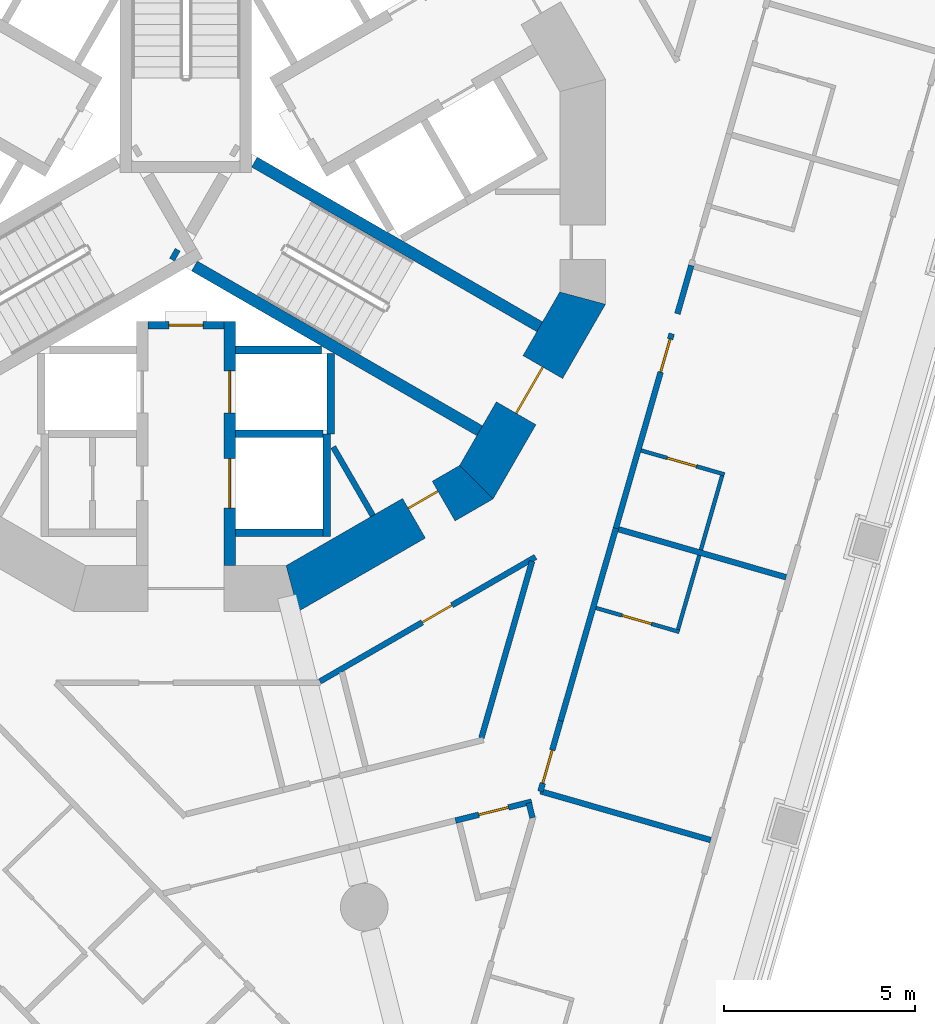
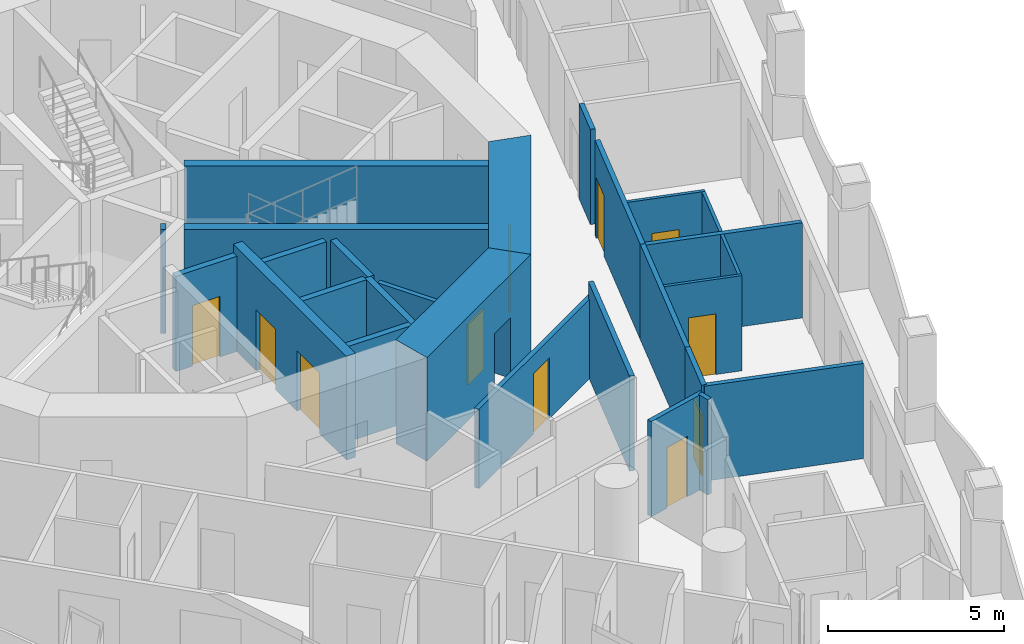
# One storey, part 5 of 20: 27 walls, 11 doors, 11 openings.
"""IFC4 building model written with IfcOpenShell, lengths in metres."""

from ifc_helpers import new_model, si_unit, direction, frame, frame_2d, origin, place, context, subcontext, project, spatial, polyline, rectangle, outline, extrude, material, layer, layer_set, type_object, element, fill, save


model = new_model("IFC4")

# Units and contexts
model_context = context("Model", 3, precision=1e-05, world=origin(), true_north=direction((0.0, 1.0)))
body_context = subcontext(model_context, "Body", "Model", "MODEL_VIEW")
ifc_project = project(units=[si_unit("LENGTHUNIT", "METRE"), si_unit("AREAUNIT", "SQUARE_METRE"), si_unit("VOLUMEUNIT", "CUBIC_METRE"), si_unit("PLANEANGLEUNIT", "RADIAN"), si_unit("MASSUNIT", "GRAM", prefix="KILO")], contexts=[model_context])

# Site, building, storey
site_placement = place(None, origin())
site = spatial("IfcSite", under=ifc_project, at=site_placement, CompositionType="ELEMENT")
building_placement = place(site_placement, origin())
building = spatial("IfcBuilding", under=site, at=building_placement, Name="Trine Commons Tower", CompositionType="ELEMENT")
storey_placement = place(building_placement, frame((0.0, 0.0, 108.89990234375)))
storey = spatial("IfcBuildingStorey", under=building, at=storey_placement, Name="L27", CompositionType="ELEMENT", Elevation=108.89990234375)

# Wall
ifc_material_1 = material(Name="Plasterboard partition on steel studs", Category="steel")
ifc_layer_1 = layer(ifc_material_1, 0.14990234375)
ifc_layer_set_1 = layer_set([ifc_layer_1], Name="Plasterboard partition on steel studs")
wall_type_1 = type_object("IfcWallType", Name="Core room partition 150 mm, EI 60", PredefinedType="PARTITIONING", material=ifc_layer_set_1)
wall_1_placement = place(storey_placement, frame((84.905029296875, 54.0029296875, 0.0), z_axis=(0.0, 0.0, 1.0), x_axis=(-0.5000780968, 0.865980309881, 0.0)))
element("IfcWall", 1, at=wall_1_placement, inside=storey, type_object=wall_type_1, Name="Core room partition L27", PredefinedType="PARTITIONING", context=body_context, shape_type="SweptSolid", body=[
    extrude(rectangle(XDim=2.079833984375, YDim=0.14990234375, at=frame_2d((1.0400390625, 0.0))), origin(), (0.0, 0.0, 1.0), 3.300048828125),
])

# Wall, opening, door
ifc_material_2 = material(Name="Fire-rated gypsum shaft wall system")
ifc_layer_2 = layer(ifc_material_2, 0.199951171875)
ifc_layer_set_2 = layer_set([ifc_layer_2], Name="Fire-rated gypsum shaft wall system")
wall_type_2 = type_object("IfcWallType", Name="Lobby end wall 200 mm, EI 120", PredefinedType="PARTITIONING", material=ifc_layer_set_2)
wall_2_placement = place(storey_placement, frame((79.0, 59.0, 0.0), z_axis=(0.0, 0.0, 1.0), x_axis=(1.0, 0.0, 0.0)))
wall_2 = element("IfcWall", 2, at=wall_2_placement, inside=storey, type_object=wall_type_2, Name="Lobby end wall L27", PredefinedType="PARTITIONING", context=body_context, shape_type="SweptSolid", body=[
    extrude(rectangle(XDim=2.0, YDim=0.199951171875, at=frame_2d((1.0, 0.0))), origin(), (0.0, 0.0, 1.0), 3.300048828125),
])
opening_1_placement = place(wall_2_placement, frame((0.550048828125, 0.0, 0.0)))
opening_1 = element("IfcOpeningElement", 3, at=opening_1_placement, cuts=wall_2, Name="Opening K06.09", PredefinedType="OPENING", context=body_context, shape_type="SweptSolid", body=[
    extrude(rectangle(XDim=0.89990234375, YDim=2.10009765625, at=frame_2d((0.449951171875, 1.050048828125))), frame((0.0, 0.10986328125, 0.0), z_axis=(0.0, -1.0, 0.0), x_axis=(1.0, 0.0, 0.0)), (0.0, 0.0, 1.0), 0.219970703125),
])
ifc_material_3 = material(Name="Steel door leaf, fire-rated", Category="steel")
door_type_1 = type_object("IfcDoorType", Name="Riser access door, single leaf 900 x 2100, FD60", OperationType="SINGLE_SWING_LEFT", PredefinedType="DOOR", material=ifc_material_3)
door_1_placement = place(opening_1_placement, frame((0.89990234375, 0.0, 0.0), z_axis=(0.0, 0.0, 1.0), x_axis=(-1.0, 0.0, 0.0)))
door_1 = element("IfcDoor", 4, at=door_1_placement, inside=storey, type_object=door_type_1, Name="Riser door, Communications riser L27", OperationType="SINGLE_SWING_RIGHT", OverallHeight=2.10009765625, OverallWidth=0.89990234375, PredefinedType="DOOR", context=body_context, shape_type="SweptSolid", body=[
    extrude(rectangle(XDim=0.89990234375, YDim=2.10009765625, at=frame_2d((0.449951171875, 1.050048828125))), frame((0.0, 0.02490234375, 0.0), z_axis=(0.0, -1.0, 0.0), x_axis=(1.0, 0.0, 0.0)), (0.0, 0.0, 1.0), 0.050048828125),
])
fill(opening_1, door_1)

ifc_material_4 = material(Name="Concrete C70/85", Category="concrete")
ifc_layer_3 = layer(ifc_material_4, 1.199951171875)
ifc_layer_set_3 = layer_set([ifc_layer_3], Name="Concrete C70/85")
wall_type_3 = type_object("IfcWallType", Name="RC shear wall 1200 mm, C70/85", PredefinedType="SHEAR", material=ifc_layer_set_3)
wall_3_placement = place(storey_placement, frame((82.650390625, 52.008056640625, 0.0), z_axis=(0.0, 0.0, 1.0), x_axis=(0.866037463336, 0.499979111662, 0.0)))
wall_3 = element("IfcWall", 5, at=wall_3_placement, inside=storey, type_object=wall_type_3, Name="Core wall CWC-11 L27", PredefinedType="SHEAR", context=body_context, shape_type="SweptSolid", body=[
    extrude(outline(polyline([(0.0, -0.60009765625), (5.901123046875, -0.60009765625), (5.57958984375, 0.60009765625), (0.321533203125, 0.60009765625), (0.0, -0.60009765625)])), origin(), (0.0, 0.0, 1.0), 3.60009765625),
])
opening_2_placement = place(wall_3_placement, frame((3.849853515625, 0.0, 0.0)))
opening_2 = element("IfcOpeningElement", 6, at=opening_2_placement, cuts=wall_3, Name="Opening K06.16", PredefinedType="OPENING", context=body_context, shape_type="SweptSolid", body=[
    extrude(rectangle(XDim=0.89990234375, YDim=2.10009765625, at=frame_2d((0.449951171875, 1.050048828125))), frame((0.0, 0.60986328125, 0.0), z_axis=(0.0, -1.0, 0.0), x_axis=(1.0, 0.0, 0.0)), (0.0, 0.0, 1.0), 1.219970703125),
])
door_type_2 = type_object("IfcDoorType", Name="Core room door, single leaf 900 x 2100, FD30S", OperationType="SINGLE_SWING_LEFT", PredefinedType="DOOR", material=ifc_material_3)
door_2_placement = place(opening_2_placement, origin())
door_2 = element("IfcDoor", 7, at=door_2_placement, inside=storey, type_object=door_type_2, Name="Door to Cleaner's store L27", OperationType="SINGLE_SWING_RIGHT", OverallHeight=2.10009765625, OverallWidth=0.89990234375, PredefinedType="DOOR", context=body_context, shape_type="SweptSolid", body=[
    extrude(rectangle(XDim=0.89990234375, YDim=2.10009765625, at=frame_2d((0.449951171875, 1.050048828125))), frame((0.0, 0.3251953125, 0.0), z_axis=(0.0, -1.0, 0.0), x_axis=(1.0, 0.0, 0.0)), (0.0, 0.0, 1.0), 0.050048828125),
])
fill(opening_2, door_2)

wall_4_placement = place(storey_placement, frame((87.54150390625, 54.739013671875, 0.0), z_axis=(0.0, 0.0, 1.0), x_axis=(0.499979111662, 0.866037463336, 0.0)))
wall_4 = element("IfcWall", 8, at=wall_4_placement, inside=storey, type_object=wall_type_3, Name="Core wall CWC-12 L27", PredefinedType="SHEAR", context=body_context, shape_type="SweptSolid", body=[
    extrude(outline(polyline([(0.0, -0.60009765625), (5.901123046875, -0.60009765625), (5.57958984375, 0.60009765625), (0.321533203125, 0.60009765625), (0.0, -0.60009765625)])), origin(), (0.0, 0.0, 1.0), 3.60009765625),
])
opening_3_placement = place(wall_4_placement, frame((2.25048828125, 0.0, 0.0)))
opening_3 = element("IfcOpeningElement", 9, at=opening_3_placement, cuts=wall_4, Name="Opening K06.03", PredefinedType="OPENING", context=body_context, shape_type="SweptSolid", body=[
    extrude(rectangle(XDim=1.39990234375, YDim=2.10009765625, at=frame_2d((0.699951171875, 1.050048828125))), frame((0.0, 0.60986328125, 0.0), z_axis=(0.0, -1.0, 0.0), x_axis=(1.0, 0.0, 0.0)), (0.0, 0.0, 1.0), 1.219970703125),
])
ifc_material_5 = material(Name="Steel door leaves, fire-rated", Category="steel")
door_type_3 = type_object("IfcDoorType", Name="Stair door, double leaf 1400 x 2100, FD90", OperationType="DOUBLE_DOOR_SINGLE_SWING", PredefinedType="DOOR", material=ifc_material_5)
door_3_placement = place(opening_3_placement, origin())
door_3 = element("IfcDoor", 10, at=door_3_placement, inside=storey, type_object=door_type_3, Name="Stair door to Exit stair ST3A L27", OperationType="DOUBLE_DOOR_SINGLE_SWING", OverallHeight=2.10009765625, OverallWidth=1.39990234375, PredefinedType="DOOR", context=body_context, shape_type="SweptSolid", body=[
    extrude(rectangle(XDim=1.39990234375, YDim=2.10009765625, at=frame_2d((0.699951171875, 1.050048828125))), frame((0.0, 0.02490234375, 0.0), z_axis=(0.0, -1.0, 0.0), x_axis=(1.0, 0.0, 0.0)), (0.0, 0.0, 1.0), 0.050048828125),
])
fill(opening_3, door_3)

# Wall, openings, doors
ifc_layer_4 = layer(ifc_material_4, 0.300048828125)
ifc_layer_set_4 = layer_set([ifc_layer_4], Name="Concrete C70/85")
wall_type_4 = type_object("IfcWallType", Name="RC shear wall 300 mm, C70/85", PredefinedType="SHEAR", material=ifc_layer_set_4)
wall_5_placement = place(storey_placement, frame((81.14990234375, 59.10009765625, 0.0), z_axis=(0.0, 0.0, 1.0), x_axis=(0.0, -1.0, 0.0)))
wall_5 = element("IfcWall", 11, at=wall_5_placement, inside=storey, type_object=wall_type_4, Name="Core cross wall SWA-04 L27", PredefinedType="SHEAR", context=body_context, shape_type="SweptSolid", body=[
    extrude(rectangle(XDim=6.412109375, YDim=0.300048828125, at=frame_2d((3.2060546875, 0.0))), origin(), (0.0, 0.0, 1.0), 3.60009765625),
])
opening_4_placement = place(wall_5_placement, frame((3.60009765625, 0.0, 0.0)))
opening_4 = element("IfcOpeningElement", 12, at=opening_4_placement, cuts=wall_5, Name="Opening LD11", PredefinedType="OPENING", context=body_context, shape_type="SweptSolid", body=[
    extrude(rectangle(XDim=1.300048828125, YDim=2.10009765625, at=frame_2d((0.64990234375, 1.050048828125))), frame((0.0, 0.159912109375, 0.0), z_axis=(0.0, -1.0, 0.0), x_axis=(1.0, 0.0, 0.0)), (0.0, 0.0, 1.0), 0.320068359375),
])
opening_5_placement = place(wall_5_placement, frame((1.300048828125, 0.0, 0.0)))
opening_5 = element("IfcOpeningElement", 13, at=opening_5_placement, cuts=wall_5, Name="Opening LD9", PredefinedType="OPENING", context=body_context, shape_type="SweptSolid", body=[
    extrude(rectangle(XDim=1.10009765625, YDim=2.10009765625, at=frame_2d((0.550048828125, 1.050048828125))), frame((0.0, 0.159912109375, 0.0), z_axis=(0.0, -1.0, 0.0), x_axis=(1.0, 0.0, 0.0)), (0.0, 0.0, 1.0), 0.320068359375),
])
ifc_material_6 = material(Name="Stainless steel sliding door leaves", Category="steel")
door_type_4 = type_object("IfcDoorType", Name="Lift landing door, centre-opening sliding 1100 x 2100, FD90", OperationType="DOUBLE_DOOR_SLIDING", PredefinedType="DOOR", material=ifc_material_6)
door_4_placement = place(opening_5_placement, origin())
door_4 = element("IfcDoor", 14, at=door_4_placement, inside=storey, type_object=door_type_4, Name="Lift landing door FF1 L27", OperationType="DOUBLE_DOOR_SLIDING", OverallHeight=2.10009765625, OverallWidth=1.10009765625, PredefinedType="DOOR", context=body_context, shape_type="SweptSolid", body=[
    extrude(rectangle(XDim=1.10009765625, YDim=2.10009765625, at=frame_2d((0.550048828125, 1.050048828125))), frame((0.0, 0.02490234375, 0.0), z_axis=(0.0, -1.0, 0.0), x_axis=(1.0, 0.0, 0.0)), (0.0, 0.0, 1.0), 0.050048828125),
])
fill(opening_5, door_4)
door_type_5 = type_object("IfcDoorType", Name="Lift landing door, centre-opening sliding 1300 x 2100, FD90", OperationType="DOUBLE_DOOR_SLIDING", PredefinedType="DOOR", material=ifc_material_6)
door_5_placement = place(opening_4_placement, origin())
door_5 = element("IfcDoor", 15, at=door_5_placement, inside=storey, type_object=door_type_5, Name="Lift landing door G1 L27", OperationType="DOUBLE_DOOR_SLIDING", OverallHeight=2.10009765625, OverallWidth=1.300048828125, PredefinedType="DOOR", context=body_context, shape_type="SweptSolid", body=[
    extrude(rectangle(XDim=1.300048828125, YDim=2.10009765625, at=frame_2d((0.64990234375, 1.050048828125))), frame((0.0, 0.02490234375, 0.0), z_axis=(0.0, -1.0, 0.0), x_axis=(1.0, 0.0, 0.0)), (0.0, 0.0, 1.0), 0.050048828125),
])
fill(opening_4, door_5)

# Walls
wall_6_placement = place(storey_placement, frame((79.64599609375, 60.885986328125, 0.0), z_axis=(0.0, 0.0, 1.0), x_axis=(0.867331893649, -0.497730234424, 0.0)))
element("IfcWall", 16, at=wall_6_placement, inside=storey, type_object=wall_type_4, Name="Core cross wall SWA-11 L27", PredefinedType="SHEAR", context=body_context, shape_type="SweptSolid", body=[
    extrude(rectangle(XDim=0.148681640625, YDim=0.300048828125, at=frame_2d((0.07421875, 0.0))), origin(), (0.0, 0.0, 1.0), 3.60009765625),
])
for number, where, z_axis, x_axis, name in (
    (17, (80.22509765625, 60.552001953125, 0.0), (0.0, 0.0, 1.0), (0.865965399159, -0.500103916661, 0.0), "Core cross wall SWA-13 L27"),
    (18, (81.800048828125, 63.280029296875, 0.0), (0.0, 0.0, 1.0), (0.865965399159, -0.500103916661, 0.0), "Core cross wall SWA-18 L27"),
):
    element("IfcWall", number, at=place(storey_placement, frame(where, z_axis=z_axis, x_axis=x_axis)), inside=storey, type_object=wall_type_4, Name=name, PredefinedType="SHEAR", context=body_context, shape_type="SweptSolid", body=[
        extrude(rectangle(XDim=8.642333984375, YDim=0.300048828125, at=frame_2d((4.3212890625, 0.0))), origin(), (0.0, 0.0, 1.0), 3.60009765625),
    ])
ifc_layer_5 = layer(ifc_material_2, 0.199951171875)
ifc_layer_set_5 = layer_set([ifc_layer_5], Name="Fire-rated gypsum shaft wall system")
wall_type_5 = type_object("IfcWallType", Name="Shaft wall 200 mm, EI 120", PredefinedType="PARTITIONING", material=ifc_layer_set_5)
for number, where, z_axis, x_axis, name in (
    (19, (81.300048828125, 53.550048828125, 0.0), (0.0, 0.0, 1.0), (1.0, 0.0, 0.0), "Shaft wall L27"),
    (20, (81.300048828125, 56.14990234375, 0.0), (0.0, 0.0, 1.0), (1.0, 0.0, 0.0), "Shaft wall L27"),
):
    element("IfcWall", number, at=place(storey_placement, frame(where, z_axis=z_axis, x_axis=x_axis)), inside=storey, type_object=wall_type_5, Name=name, PredefinedType="PARTITIONING", context=body_context, shape_type="SweptSolid", body=[
        extrude(rectangle(XDim=2.300048828125, YDim=0.199951171875, at=frame_2d((1.14990234375, 0.0))), origin(), (0.0, 0.0, 1.0), 3.300048828125),
    ])
wall_7_placement = place(storey_placement, frame((81.300048828125, 58.35009765625, 0.0), z_axis=(0.0, 0.0, 1.0), x_axis=(1.0, 0.0, 0.0)))
element("IfcWall", 21, at=wall_7_placement, inside=storey, type_object=wall_type_5, Name="Shaft wall L27", PredefinedType="PARTITIONING", context=body_context, shape_type="SweptSolid", body=[
    extrude(rectangle(XDim=2.264892578125, YDim=0.199951171875, at=frame_2d((1.13232421875, 0.0))), origin(), (0.0, 0.0, 1.0), 3.300048828125),
])
wall_8_placement = place(storey_placement, frame((83.699951171875, 56.14990234375, 0.0), z_axis=(0.0, 0.0, 1.0), x_axis=(0.0, -1.0, 0.0)))
element("IfcWall", 22, at=wall_8_placement, inside=storey, type_object=wall_type_5, Name="Shaft wall L27", PredefinedType="PARTITIONING", context=body_context, shape_type="SweptSolid", body=[
    extrude(rectangle(XDim=2.699951171875, YDim=0.199951171875, at=frame_2d((1.35009765625, 0.0))), origin(), (0.0, 0.0, 1.0), 3.300048828125),
])
wall_9_placement = place(storey_placement, frame((83.800048828125, 58.256103515625, 0.0), z_axis=(0.0, 0.0, 1.0), x_axis=(0.0, -1.0, 0.0)))
element("IfcWall", 23, at=wall_9_placement, inside=storey, type_object=wall_type_5, Name="Shaft wall L27", PredefinedType="PARTITIONING", context=body_context, shape_type="SweptSolid", body=[
    extrude(rectangle(XDim=2.106201171875, YDim=0.199951171875, at=frame_2d((1.05322265625, 0.0))), origin(), (0.0, 0.0, 1.0), 3.300048828125),
])

# Wall, opening, door
ifc_material_7 = material(Name="Gypsum plasterboard on steel stud", Category="steel")
ifc_layer_6 = layer(ifc_material_7, 0.14990234375)
ifc_layer_set_6 = layer_set([ifc_layer_6], Name="Gypsum plasterboard on steel stud")
wall_type_6 = type_object("IfcWallType", Name="Unit and corridor wall 150 mm, EI 60", PredefinedType="PARTITIONING", material=ifc_layer_set_6)
wall_10_placement = place(storey_placement, frame((83.51806640625, 49.650390625, 0.0), z_axis=(0.0, 0.0, 1.0), x_axis=(0.866021893259, 0.50000608036, 0.0)))
wall_10 = element("IfcWall", 24, at=wall_10_placement, inside=storey, type_object=wall_type_6, Name="Partition 081", PredefinedType="PARTITIONING", context=body_context, shape_type="SweptSolid", body=[
    extrude(rectangle(XDim=6.5322265625, YDim=0.14990234375, at=frame_2d((3.26611328125, 0.0))), origin(), (0.0, 0.0, 1.0), 2.75),
])
opening_6_placement = place(wall_10_placement, frame((3.09912109375, 0.0, 0.0)))
opening_6 = element("IfcOpeningElement", 25, at=opening_6_placement, cuts=wall_10, Name="Opening D-3C36", PredefinedType="OPENING", context=body_context, shape_type="SweptSolid", body=[
    extrude(rectangle(XDim=0.89990234375, YDim=2.10009765625, at=frame_2d((0.449951171875, 1.050048828125))), frame((0.0, 0.0849609375, 0.0), z_axis=(0.0, -1.0, 0.0), x_axis=(1.0, 0.0, 0.0)), (0.0, 0.0, 1.0), 0.169921875),
])
ifc_material_8 = material(Name="Timber fire door set", Category="wood")
door_type_6 = type_object("IfcDoorType", Name="Service door 900 x 2100, FD30S", OperationType="NOTDEFINED", PredefinedType="DOOR", material=ifc_material_8)
door_6_placement = place(opening_6_placement, frame((0.89990234375, 0.0, 0.0), z_axis=(0.0, 0.0, 1.0), x_axis=(-1.0, 0.0, 0.0)))
door_6 = element("IfcDoor", 26, at=door_6_placement, inside=storey, type_object=door_type_6, Name="Door D-3C36", OperationType="SINGLE_SWING_LEFT", OverallHeight=2.10009765625, OverallWidth=0.89990234375, PredefinedType="DOOR", context=body_context, shape_type="SweptSolid", body=[
    extrude(rectangle(XDim=0.89990234375, YDim=2.10009765625, at=frame_2d((0.449951171875, 1.050048828125))), frame((0.0, 0.02490234375, 0.0), z_axis=(0.0, -1.0, 0.0), x_axis=(1.0, 0.0, 0.0)), (0.0, 0.0, 1.0), 0.050048828125),
])
fill(opening_6, door_6)

wall_11_placement = place(storey_placement, frame((87.076171875, 45.998779296875, 0.0), z_axis=(0.0, 0.0, 1.0), x_axis=(0.970351527821, 0.241697977766, 0.0)))
wall_11 = element("IfcWall", 27, at=wall_11_placement, inside=storey, type_object=wall_type_6, Name="Partition 098", PredefinedType="PARTITIONING", context=body_context, shape_type="SweptSolid", body=[
    extrude(rectangle(XDim=2.0576171875, YDim=0.14990234375, at=frame_2d((1.02880859375, 0.0))), origin(), (0.0, 0.0, 1.0), 3.300048828125),
])
opening_7_placement = place(wall_11_placement, frame((0.62890625, 0.0, 0.0)))
opening_7 = element("IfcOpeningElement", 28, at=opening_7_placement, cuts=wall_11, Name="Opening D-3C05", PredefinedType="OPENING", context=body_context, shape_type="SweptSolid", body=[
    extrude(rectangle(XDim=0.800048828125, YDim=2.10009765625, at=frame_2d((0.39990234375, 1.050048828125))), frame((0.0, 0.0849609375, 0.0), z_axis=(0.0, -1.0, 0.0), x_axis=(1.0, 0.0, 0.0)), (0.0, 0.0, 1.0), 0.169921875),
])
ifc_material_9 = material(Name="Painted timber", Category="wood")
door_type_7 = type_object("IfcDoorType", Name="Toilet door 800 x 2100, NOT RATED", OperationType="NOTDEFINED", PredefinedType="DOOR", material=ifc_material_9)
door_7_placement = place(opening_7_placement, frame((0.800048828125, 0.0, 0.0), z_axis=(0.0, 0.0, 1.0), x_axis=(-1.0, 0.0, 0.0)))
door_7 = element("IfcDoor", 29, at=door_7_placement, inside=storey, type_object=door_type_7, Name="Door D-3C05", OperationType="SINGLE_SWING_LEFT", OverallHeight=2.10009765625, OverallWidth=0.800048828125, PredefinedType="DOOR", context=body_context, shape_type="SweptSolid", body=[
    extrude(rectangle(XDim=0.800048828125, YDim=2.10009765625, at=frame_2d((0.39990234375, 1.050048828125))), frame((0.0, 0.02490234375, 0.0), z_axis=(0.0, -1.0, 0.0), x_axis=(1.0, 0.0, 0.0)), (0.0, 0.0, 1.0), 0.050048828125),
])
fill(opening_7, door_7)

# Walls
wall_12_placement = place(storey_placement, frame((87.755615234375, 48.168212890625, 0.0), z_axis=(0.0, 0.0, 1.0), x_axis=(0.275589878427, 0.961275308592, 0.0)))
element("IfcWall", 30, at=wall_12_placement, inside=storey, type_object=wall_type_6, Name="Partition 102", PredefinedType="PARTITIONING", context=body_context, shape_type="SweptSolid", body=[
    extrude(rectangle(XDim=4.824462890625, YDim=0.14990234375, at=frame_2d((2.412109375, 0.0))), origin(), (0.0, 0.0, 1.0), 3.300048828125),
])
wall_13_placement = place(storey_placement, frame((89.0, 46.461669921875, 0.0), z_axis=(0.0, 0.0, 1.0), x_axis=(0.242248462582, -0.970214245606, 0.0)))
element("IfcWall", 31, at=wall_13_placement, inside=storey, type_object=wall_type_6, Name="Partition 108", PredefinedType="PARTITIONING", context=body_context, shape_type="SweptSolid", body=[
    extrude(rectangle(XDim=0.400146484375, YDim=0.14990234375, at=frame_2d((0.2001953125, 0.0))), origin(), (0.0, 0.0, 1.0), 3.300048828125),
])

# Wall, opening, door
wall_14_placement = place(storey_placement, frame((89.303955078125, 46.762939453125, 0.0), z_axis=(0.0, 0.0, 1.0), x_axis=(0.275539388994, 0.96128978207, 0.0)))
wall_14 = element("IfcWall", 32, at=wall_14_placement, inside=storey, type_object=wall_type_6, Name="Partition 110", PredefinedType="PARTITIONING", context=body_context, shape_type="SweptSolid", body=[
    extrude(rectangle(XDim=1.9306640625, YDim=0.14990234375, at=frame_2d((0.96533203125, 0.0))), origin(), (0.0, 0.0, 1.0), 3.300048828125),
])
opening_8_placement = place(wall_14_placement, frame((0.226806640625, 0.0, 0.0)))
opening_8 = element("IfcOpeningElement", 33, at=opening_8_placement, cuts=wall_14, Name="Opening D-3C22", PredefinedType="OPENING", context=body_context, shape_type="SweptSolid", body=[
    extrude(rectangle(XDim=0.89990234375, YDim=2.10009765625, at=frame_2d((0.449951171875, 1.050048828125))), frame((0.0, 0.0849609375, 0.0), z_axis=(0.0, -1.0, 0.0), x_axis=(1.0, 0.0, 0.0)), (0.0, 0.0, 1.0), 0.169921875),
])
door_type_8 = type_object("IfcDoorType", Name="Bedroom door 900 x 2100, FD30S", OperationType="NOTDEFINED", PredefinedType="DOOR", material=ifc_material_8)
door_8_placement = place(opening_8_placement, frame((0.89990234375, 0.0, 0.0), z_axis=(0.0, 0.0, 1.0), x_axis=(-1.0, 0.0, 0.0)))
door_8 = element("IfcDoor", 34, at=door_8_placement, inside=storey, type_object=door_type_8, Name="Door D-3C22", OperationType="SINGLE_SWING_RIGHT", OverallHeight=2.10009765625, OverallWidth=0.89990234375, PredefinedType="DOOR", context=body_context, shape_type="SweptSolid", body=[
    extrude(rectangle(XDim=0.89990234375, YDim=2.10009765625, at=frame_2d((0.449951171875, 1.050048828125))), frame((0.0, 0.02490234375, 0.0), z_axis=(0.0, -1.0, 0.0), x_axis=(1.0, 0.0, 0.0)), (0.0, 0.0, 1.0), 0.050048828125),
])
fill(opening_8, door_8)

# Walls
wall_15_placement = place(storey_placement, frame((89.304931640625, 46.76708984375, 0.0), z_axis=(0.0, 0.0, 1.0), x_axis=(0.961263836782, -0.275629889699, 0.0)))
element("IfcWall", 35, at=wall_15_placement, inside=storey, type_object=wall_type_6, Name="Partition 111", PredefinedType="PARTITIONING", context=body_context, shape_type="SweptSolid", body=[
    extrude(rectangle(XDim=4.6474609375, YDim=0.14990234375, at=frame_2d((2.32373046875, 0.0))), origin(), (0.0, 0.0, 1.0), 3.300048828125),
])
wall_16_placement = place(storey_placement, frame((89.8359375, 48.618896484375, 0.0), z_axis=(0.0, 0.0, 1.0), x_axis=(0.275623258098, 0.961265738282, 0.0)))
element("IfcWall", 36, at=wall_16_placement, inside=storey, type_object=wall_type_6, Name="Partition 117", PredefinedType="PARTITIONING", context=body_context, shape_type="SweptSolid", body=[
    extrude(rectangle(XDim=5.253662109375, YDim=0.14990234375, at=frame_2d((2.626953125, 0.0))), origin(), (0.0, 0.0, 1.0), 3.300048828125),
])

# Wall, opening, door
wall_17_placement = place(storey_placement, frame((91.26123046875, 53.5888671875, 0.0), z_axis=(0.0, 0.0, 1.0), x_axis=(0.275652979744, 0.961257215712, 0.0)))
wall_17 = element("IfcWall", 37, at=wall_17_placement, inside=storey, type_object=wall_type_6, Name="Partition 121", PredefinedType="PARTITIONING", context=body_context, shape_type="SweptSolid", body=[
    extrude(rectangle(XDim=5.3974609375, YDim=0.14990234375, at=frame_2d((2.69873046875, 0.0))), origin(), (0.0, 0.0, 1.0), 3.300048828125),
])
opening_9_placement = place(wall_17_placement, frame((4.34716796875, 0.0, 0.0)))
opening_9 = element("IfcOpeningElement", 38, at=opening_9_placement, cuts=wall_17, Name="Opening D-3C21", PredefinedType="OPENING", context=body_context, shape_type="SweptSolid", body=[
    extrude(rectangle(XDim=0.89990234375, YDim=2.10009765625, at=frame_2d((0.449951171875, 1.050048828125))), frame((0.0, 0.0849609375, 0.0), z_axis=(0.0, -1.0, 0.0), x_axis=(1.0, 0.0, 0.0)), (0.0, 0.0, 1.0), 0.169921875),
])
door_9_placement = place(opening_9_placement, frame((0.89990234375, 0.0, 0.0), z_axis=(0.0, 0.0, 1.0), x_axis=(-1.0, 0.0, 0.0)))
door_9 = element("IfcDoor", 39, at=door_9_placement, inside=storey, type_object=door_type_8, Name="Door D-3C21", OperationType="SINGLE_SWING_LEFT", OverallHeight=2.10009765625, OverallWidth=0.89990234375, PredefinedType="DOOR", context=body_context, shape_type="SweptSolid", body=[
    extrude(rectangle(XDim=0.89990234375, YDim=2.10009765625, at=frame_2d((0.449951171875, 1.050048828125))), frame((0.0, 0.02490234375, 0.0), z_axis=(0.0, -1.0, 0.0), x_axis=(1.0, 0.0, 0.0)), (0.0, 0.0, 1.0), 0.050048828125),
])
fill(opening_9, door_9)

# Walls
wall_18_placement = place(storey_placement, frame((91.35498046875, 53.644287109375, 0.0), z_axis=(0.0, 0.0, 1.0), x_axis=(0.961269673231, -0.275609534171, 0.0)))
element("IfcWall", 40, at=wall_18_placement, inside=storey, type_object=wall_type_6, Name="Partition 122", PredefinedType="PARTITIONING", context=body_context, shape_type="SweptSolid", body=[
    extrude(rectangle(XDim=4.572509765625, YDim=0.14990234375, at=frame_2d((2.2861328125, 0.0))), origin(), (0.0, 0.0, 1.0), 3.300048828125),
])
wall_19_placement = place(storey_placement, frame((92.89892578125, 59.299072265625, 0.0), z_axis=(0.0, 0.0, 1.0), x_axis=(0.275722362281, 0.961237316659, 0.0)))
element("IfcWall", 41, at=wall_19_placement, inside=storey, type_object=wall_type_6, Name="Partition 128", PredefinedType="PARTITIONING", context=body_context, shape_type="SweptSolid", body=[
    extrude(rectangle(XDim=1.3203125, YDim=0.14990234375, at=frame_2d((0.66015625, 0.0))), origin(), (0.0, 0.0, 1.0), 3.300048828125),
])

# Wall, opening, door
ifc_layer_7 = layer(ifc_material_7, 0.10009765625)
ifc_layer_set_7 = layer_set([ifc_layer_7], Name="Gypsum plasterboard on steel stud")
wall_type_7 = type_object("IfcWallType", Name="Unit partition 100 mm, no rating", PredefinedType="PARTITIONING", material=ifc_layer_set_7)
wall_20_placement = place(storey_placement, frame((90.76220703125, 51.578369140625, 0.0), z_axis=(0.0, 0.0, 1.0), x_axis=(0.961252175385, -0.275670555767, 0.0)))
wall_20 = element("IfcWall", 42, at=wall_20_placement, inside=storey, type_object=wall_type_7, Name="Partition 119", PredefinedType="PARTITIONING", context=body_context, shape_type="SweptSolid", body=[
    extrude(rectangle(XDim=2.275146484375, YDim=0.10009765625, at=frame_2d((1.1376953125, 0.0))), origin(), (0.0, 0.0, 1.0), 3.300048828125),
])
opening_10_placement = place(wall_20_placement, frame((0.71240234375, 0.0, 0.0)))
opening_10 = element("IfcOpeningElement", 43, at=opening_10_placement, cuts=wall_20, Name="Opening D-3C57", PredefinedType="OPENING", context=body_context, shape_type="SweptSolid", body=[
    extrude(rectangle(XDim=0.800048828125, YDim=2.10009765625, at=frame_2d((0.39990234375, 1.050048828125))), frame((0.0, 0.06005859375, 0.0), z_axis=(0.0, -1.0, 0.0), x_axis=(1.0, 0.0, 0.0)), (0.0, 0.0, 1.0), 0.1201171875),
])
door_type_9 = type_object("IfcDoorType", Name="Internal door 800 x 2100, NOT RATED", OperationType="NOTDEFINED", PredefinedType="DOOR", material=ifc_material_9)
door_10_placement = place(opening_10_placement, frame((0.800048828125, 0.0, 0.0), z_axis=(0.0, 0.0, 1.0), x_axis=(-1.0, 0.0, 0.0)))
door_10 = element("IfcDoor", 44, at=door_10_placement, inside=storey, type_object=door_type_9, Name="Door D-3C57", OperationType="SINGLE_SWING_RIGHT", OverallHeight=2.10009765625, OverallWidth=0.800048828125, PredefinedType="DOOR", context=body_context, shape_type="SweptSolid", body=[
    extrude(rectangle(XDim=0.800048828125, YDim=2.10009765625, at=frame_2d((0.39990234375, 1.050048828125))), frame((0.0, 0.02490234375, 0.0), z_axis=(0.0, -1.0, 0.0), x_axis=(1.0, 0.0, 0.0)), (0.0, 0.0, 1.0), 0.050048828125),
])
fill(opening_10, door_10)

wall_21_placement = place(storey_placement, frame((91.947998046875, 55.711181640625, 0.0), z_axis=(0.0, 0.0, 1.0), x_axis=(0.961247989745, -0.27568515051, 0.0)))
wall_21 = element("IfcWall", 45, at=wall_21_placement, inside=storey, type_object=wall_type_7, Name="Partition 125", PredefinedType="PARTITIONING", context=body_context, shape_type="SweptSolid", body=[
    extrude(rectangle(XDim=2.274169921875, YDim=0.10009765625, at=frame_2d((1.13720703125, 0.0))), origin(), (0.0, 0.0, 1.0), 3.300048828125),
])
opening_11_placement = place(wall_21_placement, frame((0.7119140625, 0.0, 0.0)))
opening_11 = element("IfcOpeningElement", 46, at=opening_11_placement, cuts=wall_21, Name="Opening D-3C56", PredefinedType="OPENING", context=body_context, shape_type="SweptSolid", body=[
    extrude(rectangle(XDim=0.800048828125, YDim=2.10009765625, at=frame_2d((0.39990234375, 1.050048828125))), frame((0.0, 0.06005859375, 0.0), z_axis=(0.0, -1.0, 0.0), x_axis=(1.0, 0.0, 0.0)), (0.0, 0.0, 1.0), 0.1201171875),
])
door_11_placement = place(opening_11_placement, origin())
door_11 = element("IfcDoor", 47, at=door_11_placement, inside=storey, type_object=door_type_9, Name="Door D-3C56", OperationType="SINGLE_SWING_LEFT", OverallHeight=2.10009765625, OverallWidth=0.800048828125, PredefinedType="DOOR", context=body_context, shape_type="SweptSolid", body=[
    extrude(rectangle(XDim=0.800048828125, YDim=2.10009765625, at=frame_2d((0.39990234375, 1.050048828125))), frame((0.0, 0.02490234375, 0.0), z_axis=(0.0, -1.0, 0.0), x_axis=(1.0, 0.0, 0.0)), (0.0, 0.0, 1.0), 0.050048828125),
])
fill(opening_11, door_11)

# Walls
wall_22_placement = place(storey_placement, frame((92.914794921875, 51.01318359375, 0.0), z_axis=(0.0, 0.0, 1.0), x_axis=(0.275931455218, 0.961177315599, 0.0)))
element("IfcWall", 48, at=wall_22_placement, inside=storey, type_object=wall_type_7, Name="Partition 129", PredefinedType="PARTITIONING", context=body_context, shape_type="SweptSolid", body=[
    extrude(rectangle(XDim=2.0244140625, YDim=0.10009765625, at=frame_2d((1.01220703125, 0.0))), origin(), (0.0, 0.0, 1.0), 3.300048828125),
])
wall_23_placement = place(storey_placement, frame((93.5146484375, 53.10302734375, 0.0), z_axis=(0.0, 0.0, 1.0), x_axis=(0.275357985943, 0.96134176003, 0.0)))
element("IfcWall", 49, at=wall_23_placement, inside=storey, type_object=wall_type_7, Name="Partition 134", PredefinedType="PARTITIONING", context=body_context, shape_type="SweptSolid", body=[
    extrude(rectangle(XDim=2.025146484375, YDim=0.10009765625, at=frame_2d((1.0126953125, 0.0))), origin(), (0.0, 0.0, 1.0), 3.300048828125),
])

save(model, "model.ifc")
